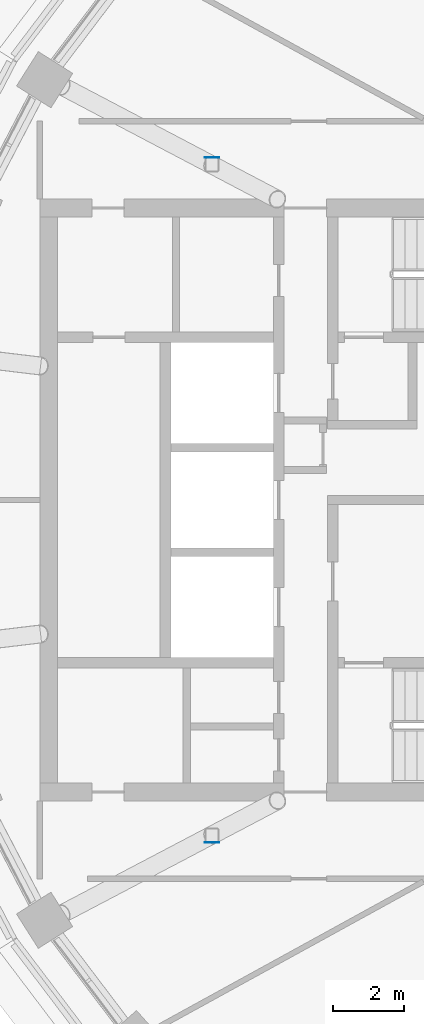
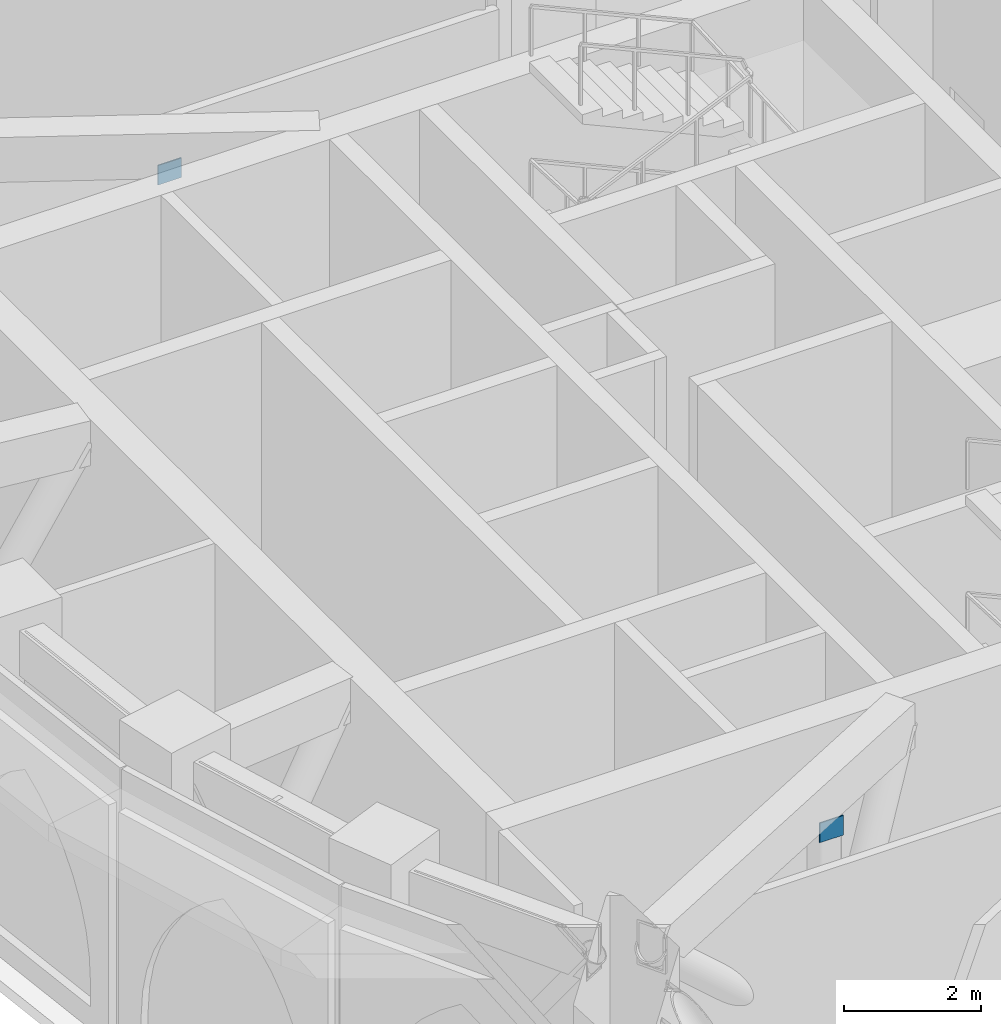
# One storey, part 11 of 25: 2 discrete accessories.
"""IFC4 building model written with IfcOpenShell, lengths in metres."""

from ifc_helpers import new_model, si_unit, direction, frame, origin, origin_2d, place, context, subcontext, project, spatial, rectangle, extrude, material, layer, layer_set, type_object, element, save


model = new_model("IFC4")

# Units and contexts
model_context = context("Model", 3, precision=1e-05, world=origin(), true_north=direction((0.0, 1.0)))
body_context = subcontext(model_context, "Body", "Model", "MODEL_VIEW")
ifc_project = project(units=[si_unit("LENGTHUNIT", "METRE"), si_unit("AREAUNIT", "SQUARE_METRE"), si_unit("VOLUMEUNIT", "CUBIC_METRE"), si_unit("PLANEANGLEUNIT", "RADIAN"), si_unit("MASSUNIT", "GRAM", prefix="KILO")], contexts=[model_context])

# Site, building, storey
site_placement = place(None, origin())
site = spatial("IfcSite", under=ifc_project, at=site_placement, CompositionType="ELEMENT")
building_placement = place(site_placement, origin())
building = spatial("IfcBuilding", under=site, at=building_placement, Name="Noorbagh Ring Tower", CompositionType="ELEMENT")
storey_placement = place(building_placement, frame((0.0, 0.0, 198.0)))
storey = spatial("IfcBuildingStorey", under=building, at=storey_placement, Name="L46", CompositionType="ELEMENT", Elevation=198.0)

# Discrete accessories
ifc_material = material(Name="Steel S355", Category="steel")
ifc_layer = layer(ifc_material, 0.02001953125)
ifc_layer_set = layer_set([ifc_layer], Name="Steel S355")
discrete_accessory_type = type_object("IfcDiscreteAccessoryType", Name="STR-NODE-GUSSET", PredefinedType="BRACKET", material=ifc_layer_set)
for number, where, z_axis, x_axis, name in (
    (1, (-26.63720703125, 9.674072265625, 4.0), (0.0, 0.0, 1.0), (1.0, 0.0, 0.0), "Node gusset plate"),
    (2, (-26.63720703125, -9.674072265625, 4.0), (0.0, 0.0, 1.0), (1.0, 0.0, 0.0), "Node gusset plate"),
):
    element("IfcDiscreteAccessory", number, at=place(storey_placement, frame(where, z_axis=z_axis, x_axis=x_axis)), inside=storey, type_object=discrete_accessory_type, Name=name, PredefinedType="BRACKET", context=body_context, shape_type="SweptSolid", body=[
        extrude(rectangle(XDim=0.39990234375, YDim=0.02001953125, at=origin_2d()), origin(), (0.0, 0.0, 1.0), 0.35009765625),
    ])

save(model, "model.ifc")
